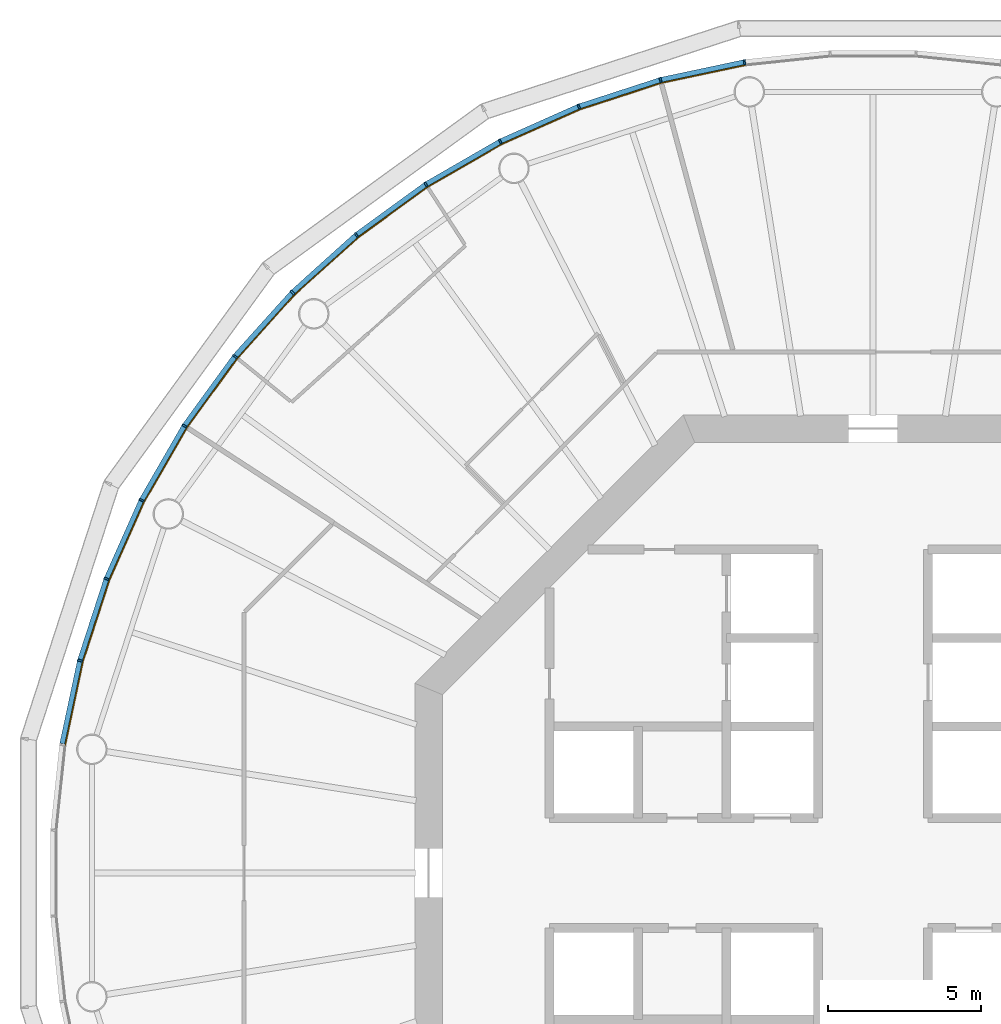
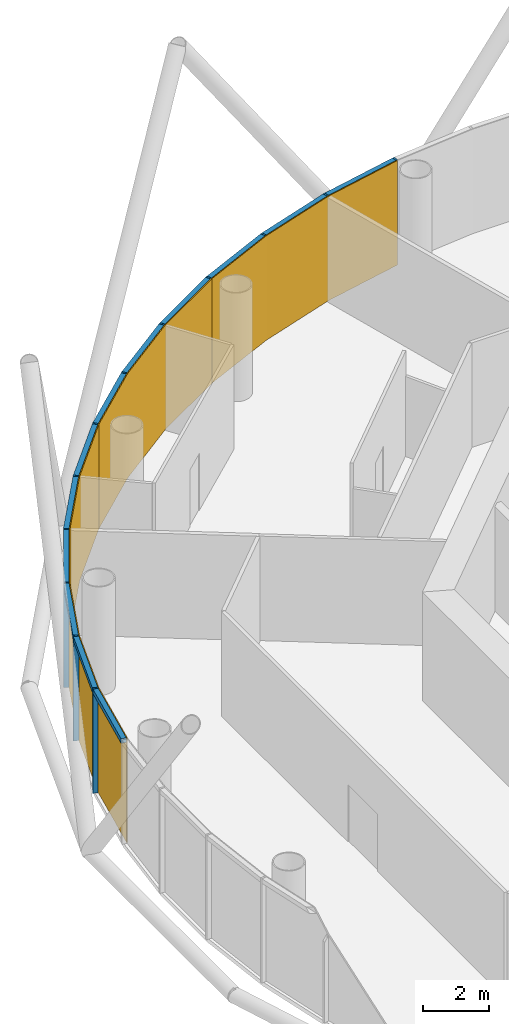
# One storey, part 10 of 13: 24 members, 4 curtain walls.
"""IFC4 building model written with IfcOpenShell, lengths in metres."""

from ifc_helpers import new_model, si_unit, direction, frame, origin, origin_2d, place, context, subcontext, project, spatial, polyline, rectangle, outline, extrude, material, layer, layer_set, material_profile, profile_set, type_object, element, aggregate, save


model = new_model("IFC4")

# Units and contexts
model_context = context("Model", 3, precision=1e-05, world=origin(), true_north=direction((0.0, 1.0)))
body_context = subcontext(model_context, "Body", "Model", "MODEL_VIEW")
ifc_project = project(units=[si_unit("LENGTHUNIT", "METRE"), si_unit("AREAUNIT", "SQUARE_METRE"), si_unit("VOLUMEUNIT", "CUBIC_METRE"), si_unit("PLANEANGLEUNIT", "RADIAN"), si_unit("MASSUNIT", "GRAM", prefix="KILO")], contexts=[model_context])

# Member
ifc_material_1 = material(Name="Anodised aluminium", Category="aluminium")
ifc_material_profile_1 = material_profile(ifc_material_1, rectangle(XDim=0.06005859375, YDim=0.169921875, at=origin_2d()), Name="Mullion 60 x 170 mm anodised aluminium")
ifc_profile_set_1 = profile_set([ifc_material_profile_1], Name="Anodised aluminium")
member_type_1 = type_object("IfcMemberType", Name="Mullion 60 x 170 mm anodised aluminium", PredefinedType="MULLION", material=ifc_profile_set_1)
site_placement = place(None, origin())
building_placement = place(site_placement, origin())
storey_placement = place(building_placement, frame((0.0, 0.0, 218.0)))
member_1_placement = place(storey_placement, frame((85.794189453125, 106.553955078125, 0.0), z_axis=(0.0, 0.0, 1.0), x_axis=(-0.987688340595, -0.15643446504, 0.0)))
member_1 = element("IfcMember", 1, at=member_1_placement, type_object=member_type_1, Name="MULLION L50-15", PredefinedType="MULLION", context=body_context, shape_type="SweptSolid", body=[
    extrude(rectangle(XDim=0.06005859375, YDim=0.169921875, at=origin_2d()), origin(), (0.0, 0.0, 1.0), 3.85009765625),
])

member_2_placement = place(storey_placement, frame((83.041748046875, 105.968994140625, 0.0), z_axis=(0.0, 0.0, 1.0), x_axis=(-0.965925826289, -0.258819045103, 0.0)))
member_2 = element("IfcMember", 2, at=member_2_placement, type_object=member_type_1, Name="MULLION L50-16", PredefinedType="MULLION", context=body_context, shape_type="SweptSolid", body=[
    extrude(rectangle(XDim=0.06005859375, YDim=0.169921875, at=origin_2d()), origin(), (0.0, 0.0, 1.0), 3.85009765625),
])

member_3_placement = place(storey_placement, frame((80.365234375, 105.099365234375, 0.0), z_axis=(0.0, 0.0, 1.0), x_axis=(-0.933580426497, -0.358367949545, 0.0)))
member_3 = element("IfcMember", 3, at=member_3_placement, type_object=member_type_1, Name="MULLION L50-17", PredefinedType="MULLION", context=body_context, shape_type="SweptSolid", body=[
    extrude(rectangle(XDim=0.06005859375, YDim=0.169921875, at=origin_2d()), origin(), (0.0, 0.0, 1.0), 3.85009765625),
])

member_4_placement = place(storey_placement, frame((77.79443359375, 103.95458984375, 0.0), z_axis=(0.0, 0.0, 1.0), x_axis=(-0.891006524188, -0.45399049974, 0.0)))
member_4 = element("IfcMember", 4, at=member_4_placement, type_object=member_type_1, Name="MULLION L50-18", PredefinedType="MULLION", context=body_context, shape_type="SweptSolid", body=[
    extrude(rectangle(XDim=0.06005859375, YDim=0.169921875, at=origin_2d()), origin(), (0.0, 0.0, 1.0), 3.85009765625),
])

member_5_placement = place(storey_placement, frame((75.357421875, 102.547607421875, 0.0), z_axis=(0.0, 0.0, 1.0), x_axis=(-0.838670567945, -0.544639035015, 0.0)))
member_5 = element("IfcMember", 5, at=member_5_placement, type_object=member_type_1, Name="MULLION L50-19", PredefinedType="MULLION", context=body_context, shape_type="SweptSolid", body=[
    extrude(rectangle(XDim=0.06005859375, YDim=0.169921875, at=origin_2d()), origin(), (0.0, 0.0, 1.0), 3.85009765625),
])

member_6_placement = place(storey_placement, frame((73.080810546875, 100.8935546875, 0.0), z_axis=(0.0, 0.0, 1.0), x_axis=(-0.777145961457, -0.62932039105, 0.0)))
member_6 = element("IfcMember", 6, at=member_6_placement, type_object=member_type_1, Name="MULLION L50-20", PredefinedType="MULLION", context=body_context, shape_type="SweptSolid", body=[
    extrude(rectangle(XDim=0.06005859375, YDim=0.169921875, at=origin_2d()), origin(), (0.0, 0.0, 1.0), 3.85009765625),
])

member_7_placement = place(storey_placement, frame((70.989501953125, 99.010498046875, 0.0), z_axis=(0.0, 0.0, 1.0), x_axis=(-0.707106781187, -0.707106781187, 0.0)))
member_7 = element("IfcMember", 7, at=member_7_placement, type_object=member_type_1, Name="MULLION L50-21", PredefinedType="MULLION", context=body_context, shape_type="SweptSolid", body=[
    extrude(rectangle(XDim=0.06005859375, YDim=0.169921875, at=origin_2d()), origin(), (0.0, 0.0, 1.0), 3.85009765625),
])

member_8_placement = place(storey_placement, frame((69.1064453125, 96.919189453125, 0.0), z_axis=(0.0, 0.0, 1.0), x_axis=(-0.62932039105, -0.777145961457, 0.0)))
member_8 = element("IfcMember", 8, at=member_8_placement, type_object=member_type_1, Name="MULLION L50-22", PredefinedType="MULLION", context=body_context, shape_type="SweptSolid", body=[
    extrude(rectangle(XDim=0.06005859375, YDim=0.169921875, at=origin_2d()), origin(), (0.0, 0.0, 1.0), 3.85009765625),
])

member_9_placement = place(storey_placement, frame((67.452392578125, 94.642578125, 0.0), z_axis=(0.0, 0.0, 1.0), x_axis=(-0.544639035015, -0.838670567945, 0.0)))
member_9 = element("IfcMember", 9, at=member_9_placement, type_object=member_type_1, Name="MULLION L50-23", PredefinedType="MULLION", context=body_context, shape_type="SweptSolid", body=[
    extrude(rectangle(XDim=0.06005859375, YDim=0.169921875, at=origin_2d()), origin(), (0.0, 0.0, 1.0), 3.85009765625),
])

member_10_placement = place(storey_placement, frame((66.04541015625, 92.20556640625, 0.0), z_axis=(0.0, 0.0, 1.0), x_axis=(-0.45399049974, -0.891006524188, 0.0)))
member_10 = element("IfcMember", 10, at=member_10_placement, type_object=member_type_1, Name="MULLION L50-24", PredefinedType="MULLION", context=body_context, shape_type="SweptSolid", body=[
    extrude(rectangle(XDim=0.06005859375, YDim=0.169921875, at=origin_2d()), origin(), (0.0, 0.0, 1.0), 3.85009765625),
])

member_11_placement = place(storey_placement, frame((64.900634765625, 89.634765625, 0.0), z_axis=(0.0, 0.0, 1.0), x_axis=(-0.358367949545, -0.933580426497, 0.0)))
member_11 = element("IfcMember", 11, at=member_11_placement, type_object=member_type_1, Name="MULLION L50-25", PredefinedType="MULLION", context=body_context, shape_type="SweptSolid", body=[
    extrude(rectangle(XDim=0.06005859375, YDim=0.169921875, at=origin_2d()), origin(), (0.0, 0.0, 1.0), 3.85009765625),
])

member_12_placement = place(storey_placement, frame((64.031005859375, 86.958251953125, 0.0), z_axis=(0.0, 0.0, 1.0), x_axis=(-0.258819045103, -0.965925826289, 0.0)))
member_12 = element("IfcMember", 12, at=member_12_placement, type_object=member_type_1, Name="MULLION L50-26", PredefinedType="MULLION", context=body_context, shape_type="SweptSolid", body=[
    extrude(rectangle(XDim=0.06005859375, YDim=0.169921875, at=origin_2d()), origin(), (0.0, 0.0, 1.0), 3.85009765625),
])

ifc_material_2 = material(Name="Anodised aluminium", Category="aluminium")
ifc_material_profile_2 = material_profile(ifc_material_2, rectangle(XDim=0.169921875, YDim=0.1650390625, at=origin_2d()), Name="Transom 165 x 170 mm anodised aluminium")
ifc_profile_set_2 = profile_set([ifc_material_profile_2], Name="Anodised aluminium")
member_type_2 = type_object("IfcMemberType", Name="Transom 165 x 170 mm anodised aluminium", PredefinedType="USERDEFINED", material=ifc_profile_set_2)
member_13_placement = place(storey_placement, frame((85.760498046875, 106.546875, 3.767578125), z_axis=(-0.97814212115, -0.207937468562, 0.0), x_axis=(0.207937468562, -0.97814212115, 0.0)))
member_13 = element("IfcMember", 13, at=member_13_placement, type_object=member_type_2, Name="TRANSOM L50-15", ObjectType="TRANSOM", PredefinedType="USERDEFINED", context=body_context, shape_type="SweptSolid", body=[
    extrude(rectangle(XDim=0.169921875, YDim=0.1650390625, at=origin_2d()), origin(), (0.0, 0.0, 1.0), 2.7451171875),
])

member_14_placement = place(storey_placement, frame((83.0087890625, 105.95849609375, 3.767578125), z_axis=(-0.951048445774, -0.309041831781, 0.0), x_axis=(0.309041831781, -0.951048445774, 0.0)))
member_14 = element("IfcMember", 14, at=member_14_placement, type_object=member_type_2, Name="TRANSOM L50-16", ObjectType="TRANSOM", PredefinedType="USERDEFINED", context=body_context, shape_type="SweptSolid", body=[
    extrude(rectangle(XDim=0.169921875, YDim=0.1650390625, at=origin_2d()), origin(), (0.0, 0.0, 1.0), 2.7451171875),
])

member_15_placement = place(storey_placement, frame((80.333740234375, 105.08544921875, 3.767578125), z_axis=(-0.913525267704, -0.406781987391, 0.0), x_axis=(0.406781987391, -0.913525267704, 0.0)))
member_15 = element("IfcMember", 15, at=member_15_placement, type_object=member_type_2, Name="TRANSOM L50-17", ObjectType="TRANSOM", PredefinedType="USERDEFINED", context=body_context, shape_type="SweptSolid", body=[
    extrude(rectangle(XDim=0.169921875, YDim=0.1650390625, at=origin_2d()), origin(), (0.0, 0.0, 1.0), 2.7451171875),
])

member_16_placement = place(storey_placement, frame((77.7646484375, 103.9375, 3.767578125), z_axis=(-0.866034527326, -0.49998419723, 0.0), x_axis=(0.49998419723, -0.866034527326, 0.0)))
member_16 = element("IfcMember", 16, at=member_16_placement, type_object=member_type_2, Name="TRANSOM L50-18", ObjectType="TRANSOM", PredefinedType="USERDEFINED", context=body_context, shape_type="SweptSolid", body=[
    extrude(rectangle(XDim=0.169921875, YDim=0.1650390625, at=origin_2d()), origin(), (0.0, 0.0, 1.0), 2.7451171875),
])

member_17_placement = place(storey_placement, frame((75.329345703125, 102.527587890625, 3.767578125), z_axis=(-0.808959086484, -0.587864947412, 0.0), x_axis=(0.587864947412, -0.808959086484, 0.0)))
member_17 = element("IfcMember", 17, at=member_17_placement, type_object=member_type_2, Name="TRANSOM L50-19", ObjectType="TRANSOM", PredefinedType="USERDEFINED", context=body_context, shape_type="SweptSolid", body=[
    extrude(rectangle(XDim=0.169921875, YDim=0.1650390625, at=origin_2d()), origin(), (0.0, 0.0, 1.0), 2.7451171875),
])

member_18_placement = place(storey_placement, frame((73.054931640625, 100.87060546875, 3.767578125), z_axis=(-0.743134927907, -0.669141598561, 0.0), x_axis=(0.669141598561, -0.743134927907, 0.0)))
member_18 = element("IfcMember", 18, at=member_18_placement, type_object=member_type_2, Name="TRANSOM L50-20", ObjectType="TRANSOM", PredefinedType="USERDEFINED", context=body_context, shape_type="SweptSolid", body=[
    extrude(rectangle(XDim=0.169921875, YDim=0.1650390625, at=origin_2d()), origin(), (0.0, 0.0, 1.0), 2.7451171875),
])

member_19_placement = place(storey_placement, frame((70.96630859375, 98.985107421875, 3.767578125), z_axis=(-0.669141598561, -0.743134927907, 0.0), x_axis=(0.743134927907, -0.669141598561, 0.0)))
member_19 = element("IfcMember", 19, at=member_19_placement, type_object=member_type_2, Name="TRANSOM L50-21", ObjectType="TRANSOM", PredefinedType="USERDEFINED", context=body_context, shape_type="SweptSolid", body=[
    extrude(rectangle(XDim=0.169921875, YDim=0.1650390625, at=origin_2d()), origin(), (0.0, 0.0, 1.0), 2.7451171875),
])

member_20_placement = place(storey_placement, frame((69.086181640625, 96.891357421875, 3.767578125), z_axis=(-0.587864947412, -0.808959086484, 0.0), x_axis=(0.808959086484, -0.587864947412, 0.0)))
member_20 = element("IfcMember", 20, at=member_20_placement, type_object=member_type_2, Name="TRANSOM L50-22", ObjectType="TRANSOM", PredefinedType="USERDEFINED", context=body_context, shape_type="SweptSolid", body=[
    extrude(rectangle(XDim=0.169921875, YDim=0.1650390625, at=origin_2d()), origin(), (0.0, 0.0, 1.0), 2.7451171875),
])

member_21_placement = place(storey_placement, frame((67.43505859375, 94.61279296875, 3.767578125), z_axis=(-0.49998419723, -0.866034527326, 0.0), x_axis=(0.866034527326, -0.49998419723, 0.0)))
member_21 = element("IfcMember", 21, at=member_21_placement, type_object=member_type_2, Name="TRANSOM L50-23", ObjectType="TRANSOM", PredefinedType="USERDEFINED", context=body_context, shape_type="SweptSolid", body=[
    extrude(rectangle(XDim=0.169921875, YDim=0.1650390625, at=origin_2d()), origin(), (0.0, 0.0, 1.0), 2.7451171875),
])

member_22_placement = place(storey_placement, frame((66.03125, 92.174072265625, 3.767578125), z_axis=(-0.406781987391, -0.913525267704, 0.0), x_axis=(0.913525267704, -0.406781987391, 0.0)))
member_22 = element("IfcMember", 22, at=member_22_placement, type_object=member_type_2, Name="TRANSOM L50-24", ObjectType="TRANSOM", PredefinedType="USERDEFINED", context=body_context, shape_type="SweptSolid", body=[
    extrude(rectangle(XDim=0.169921875, YDim=0.1650390625, at=origin_2d()), origin(), (0.0, 0.0, 1.0), 2.7451171875),
])

member_23_placement = place(storey_placement, frame((64.889892578125, 89.60205078125, 3.767578125), z_axis=(-0.309041831781, -0.951048445774, 0.0), x_axis=(0.951048445774, -0.309041831781, 0.0)))
member_23 = element("IfcMember", 23, at=member_23_placement, type_object=member_type_2, Name="TRANSOM L50-25", ObjectType="TRANSOM", PredefinedType="USERDEFINED", context=body_context, shape_type="SweptSolid", body=[
    extrude(rectangle(XDim=0.169921875, YDim=0.1650390625, at=origin_2d()), origin(), (0.0, 0.0, 1.0), 2.7451171875),
])

member_24_placement = place(storey_placement, frame((64.02392578125, 86.924560546875, 3.767578125), z_axis=(-0.207937468562, -0.97814212115, 0.0), x_axis=(0.97814212115, -0.207937468562, 0.0)))
member_24 = element("IfcMember", 24, at=member_24_placement, type_object=member_type_2, Name="TRANSOM L50-26", ObjectType="TRANSOM", PredefinedType="USERDEFINED", context=body_context, shape_type="SweptSolid", body=[
    extrude(rectangle(XDim=0.169921875, YDim=0.1650390625, at=origin_2d()), origin(), (0.0, 0.0, 1.0), 2.7451171875),
])

# Site, building, storey
site = spatial("IfcSite", under=ifc_project, at=site_placement, CompositionType="ELEMENT")
building = spatial("IfcBuilding", under=site, at=building_placement, Name="Entoto Ring Tower", CompositionType="ELEMENT")
storey = spatial("IfcBuildingStorey", under=building, at=storey_placement, Name="L50", CompositionType="ELEMENT", Elevation=218.0)

# Curtain wall
ifc_material_3 = material(Name="Clear low-iron glass", Category="glass")
ifc_layer = layer(ifc_material_3, 0.031982421875)
ifc_layer_set = layer_set([ifc_layer], Name="Clear low-iron glass")
curtain_wall_type = type_object("IfcCurtainWallType", Name="Curtain wall system CW4 glazing 32 mm", PredefinedType="NOTDEFINED", material=ifc_layer_set)
curtain_wall_1_placement = place(storey_placement, origin())
curtain_wall_1 = element("IfcCurtainWall", 25, at=curtain_wall_1_placement, inside=storey, type_object=curtain_wall_type, Name="CW4 L50-06", PredefinedType="NOTDEFINED", context=body_context, shape_type="SweptSolid", body=[
    extrude(outline(polyline([(85.8076171875, 106.469970703125), (83.063720703125, 105.88671875), (80.395751953125, 105.02001953125), (77.8330078125, 103.87890625), (77.84765625, 103.850341796875), (80.4072265625, 104.989990234375), (83.072021484375, 105.85595703125), (85.8125, 106.4384765625), (85.8076171875, 106.469970703125)])), origin(), (0.0, 0.0, 1.0), 3.85009765625),
])

aggregate(curtain_wall_1, [member_1, member_2, member_3, member_13, member_14, member_15])

curtain_wall_2_placement = place(storey_placement, origin())
curtain_wall_2 = element("IfcCurtainWall", 26, at=curtain_wall_2_placement, inside=storey, type_object=curtain_wall_type, Name="CW4 L50-07", PredefinedType="NOTDEFINED", context=body_context, shape_type="SweptSolid", body=[
    extrude(outline(polyline([(77.8330078125, 103.87890625), (75.403564453125, 102.476318359375), (73.13427734375, 100.827392578125), (71.049560546875, 98.950439453125), (71.072265625, 98.927734375), (73.154296875, 100.802490234375), (75.421142578125, 102.449462890625), (77.84765625, 103.850341796875), (77.8330078125, 103.87890625)])), origin(), (0.0, 0.0, 1.0), 3.85009765625),
])

aggregate(curtain_wall_2, [member_4, member_5, member_6, member_16, member_17, member_18])

curtain_wall_3_placement = place(storey_placement, origin())
curtain_wall_3 = element("IfcCurtainWall", 27, at=curtain_wall_3_placement, inside=storey, type_object=curtain_wall_type, Name="CW4 L50-08", PredefinedType="NOTDEFINED", context=body_context, shape_type="SweptSolid", body=[
    extrude(outline(polyline([(71.049560546875, 98.950439453125), (69.172607421875, 96.86572265625), (67.523681640625, 94.596435546875), (66.12109375, 92.1669921875), (66.149658203125, 92.15234375), (67.550537109375, 94.578857421875), (69.197509765625, 96.845703125), (71.072265625, 98.927734375), (71.049560546875, 98.950439453125)])), origin(), (0.0, 0.0, 1.0), 3.85009765625),
])

aggregate(curtain_wall_3, [member_7, member_8, member_9, member_19, member_20, member_21])

curtain_wall_4_placement = place(storey_placement, origin())
curtain_wall_4 = element("IfcCurtainWall", 28, at=curtain_wall_4_placement, inside=storey, type_object=curtain_wall_type, Name="CW4 L50-09", PredefinedType="NOTDEFINED", context=body_context, shape_type="SweptSolid", body=[
    extrude(outline(polyline([(66.12109375, 92.1669921875), (64.97998046875, 89.604248046875), (64.11328125, 86.936279296875), (63.530029296875, 84.1923828125), (63.5615234375, 84.1875), (64.14404296875, 86.927978515625), (65.010009765625, 89.5927734375), (66.149658203125, 92.15234375), (66.12109375, 92.1669921875)])), origin(), (0.0, 0.0, 1.0), 3.85009765625),
])

aggregate(curtain_wall_4, [member_10, member_11, member_12, member_22, member_23, member_24])

save(model, "model.ifc")
